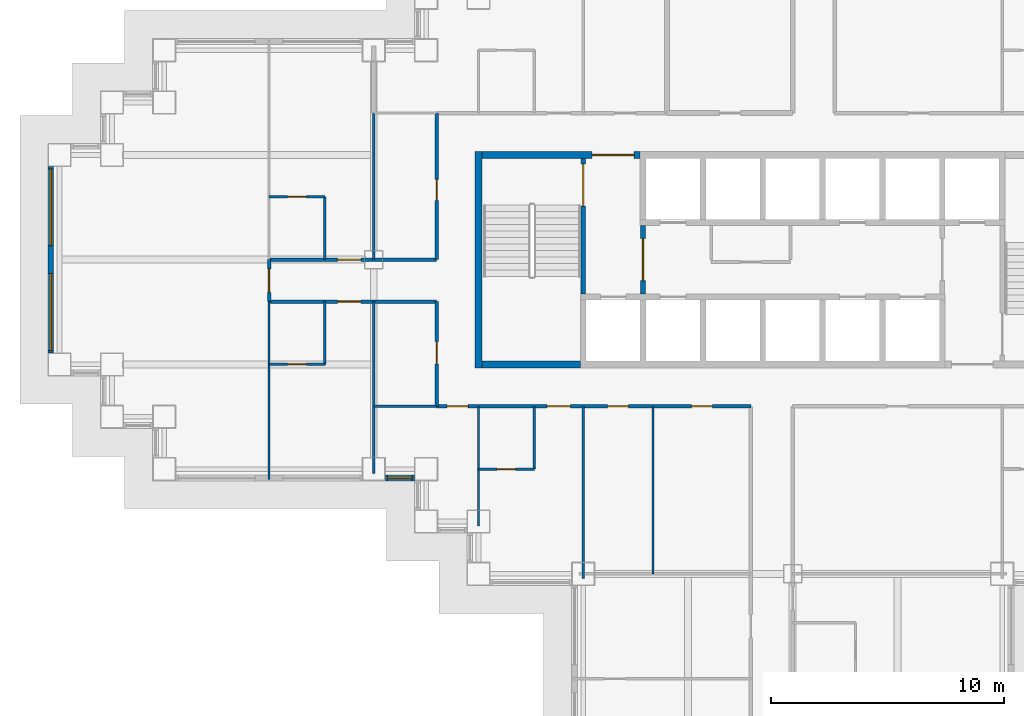
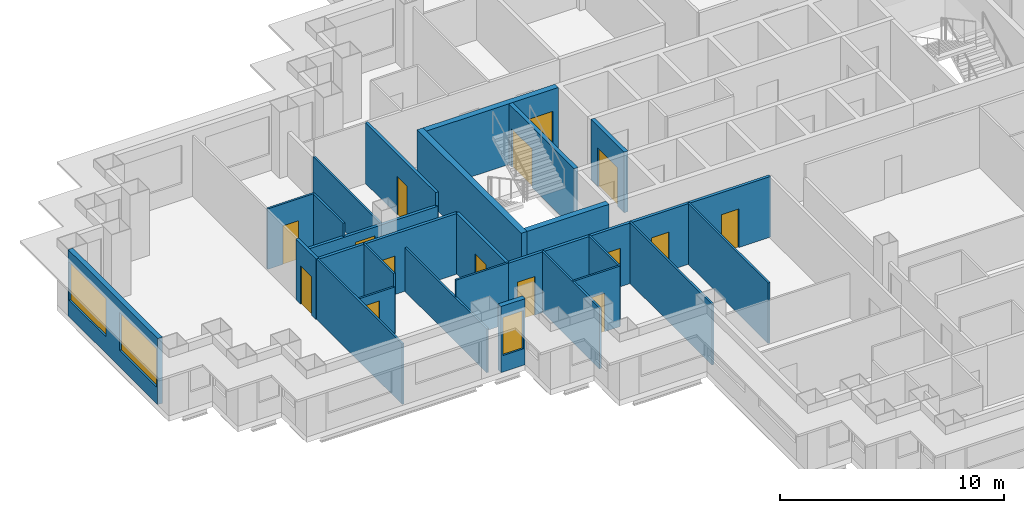
# One storey, part 4 of 14: 26 walls, 15 doors, 3 windows, 18 openings.
"""IFC4 building model written with IfcOpenShell, lengths in metres."""

from ifc_helpers import new_model, si_unit, direction, frame, frame_2d, origin, place, context, subcontext, project, spatial, rectangle, extrude, material, layer, layer_set, type_object, element, fill, save


model = new_model("IFC4")

# Units and contexts
model_context = context("Model", 3, precision=1e-05, world=origin(), true_north=direction((0.0, 1.0)))
body_context = subcontext(model_context, "Body", "Model", "MODEL_VIEW")
ifc_project = project(units=[si_unit("LENGTHUNIT", "METRE"), si_unit("AREAUNIT", "SQUARE_METRE"), si_unit("VOLUMEUNIT", "CUBIC_METRE"), si_unit("PLANEANGLEUNIT", "RADIAN"), si_unit("MASSUNIT", "GRAM", prefix="KILO")], contexts=[model_context])

# Site, building, storey
site_placement = place(None, origin())
site = spatial("IfcSite", under=ifc_project, at=site_placement, CompositionType="ELEMENT")
building_placement = place(site_placement, origin())
building = spatial("IfcBuilding", under=site, at=building_placement, Name="Caravel Reach Hotel and Residences", CompositionType="ELEMENT")
storey_placement = place(building_placement, frame((0.0, 0.0, 67.199951171875)))
storey = spatial("IfcBuildingStorey", under=building, at=storey_placement, Name="L15", CompositionType="ELEMENT", Elevation=67.199951171875)

# Wall, opening, door
ifc_material_1 = material(Name="Gypsum board on steel stud", Category="steel")
ifc_layer_1 = layer(ifc_material_1, 0.10009765625)
ifc_layer_set_1 = layer_set([ifc_layer_1], Name="Bathroom pod wall 100 mm")
wall_type_1 = type_object("IfcWallType", Name="Bathroom pod wall 100 mm", PredefinedType="PARTITIONING", material=ifc_layer_set_1)
wall_1_placement = place(storey_placement, frame((18.0, 18.0, 0.0), z_axis=(0.0, 0.0, 1.0), x_axis=(1.0, 0.0, 0.0)))
wall_1 = element("IfcWall", 1, at=wall_1_placement, inside=storey, type_object=wall_type_1, Name="L15 wall w075", PredefinedType="PARTITIONING", context=body_context, shape_type="SweptSolid", body=[
    extrude(rectangle(XDim=2.39990234375, YDim=0.10009765625, at=frame_2d((1.199951171875, 0.0))), origin(), (0.0, 0.0, 1.0), 3.300048828125),
])
opening_1_placement = place(wall_1_placement, frame((0.800048828125, 0.0, 0.0)))
opening_1 = element("IfcOpeningElement", 2, at=opening_1_placement, cuts=wall_1, Name="Opening D15-047", PredefinedType="OPENING", context=body_context, shape_type="SweptSolid", body=[
    extrude(rectangle(XDim=0.800048828125, YDim=2.10009765625, at=frame_2d((0.39990234375, 1.050048828125))), frame((0.0, 0.06005859375, 0.0), z_axis=(0.0, -1.0, 0.0), x_axis=(1.0, 0.0, 0.0)), (0.0, 0.0, 1.0), 0.1201171875),
])
ifc_material_2 = material(Name="Timber and steel door leaf", Category="steel")
door_type_1 = type_object("IfcDoorType", Name="Bathroom door 800 x 2100", OperationType="SINGLE_SWING_LEFT", PredefinedType="DOOR", material=ifc_material_2)
door_1_placement = place(opening_1_placement, origin())
door_1 = element("IfcDoor", 3, at=door_1_placement, inside=storey, type_object=door_type_1, Name="door D15-047", OperationType="SINGLE_SWING_LEFT", OverallHeight=2.10009765625, OverallWidth=0.800048828125, PredefinedType="DOOR", context=body_context, shape_type="SweptSolid", body=[
    extrude(rectangle(XDim=0.800048828125, YDim=2.10009765625, at=frame_2d((0.39990234375, 1.050048828125))), frame((0.0, 0.02490234375, 0.0), z_axis=(0.0, -1.0, 0.0), x_axis=(1.0, 0.0, 0.0)), (0.0, 0.0, 1.0), 0.050048828125),
])
fill(opening_1, door_1)

wall_2_placement = place(storey_placement, frame((9.0, 22.5, 0.0), z_axis=(0.0, 0.0, 1.0), x_axis=(1.0, 0.0, 0.0)))
wall_2 = element("IfcWall", 4, at=wall_2_placement, inside=storey, type_object=wall_type_1, Name="L15 wall w077", PredefinedType="PARTITIONING", context=body_context, shape_type="SweptSolid", body=[
    extrude(rectangle(XDim=2.39990234375, YDim=0.10009765625, at=frame_2d((1.199951171875, 0.0))), origin(), (0.0, 0.0, 1.0), 2.580078125),
])
opening_2_placement = place(wall_2_placement, frame((0.800048828125, 0.0, 0.0)))
opening_2 = element("IfcOpeningElement", 5, at=opening_2_placement, cuts=wall_2, Name="Opening D15-016", PredefinedType="OPENING", context=body_context, shape_type="SweptSolid", body=[
    extrude(rectangle(XDim=0.800048828125, YDim=2.10009765625, at=frame_2d((0.39990234375, 1.050048828125))), frame((0.0, 0.06005859375, 0.0), z_axis=(0.0, -1.0, 0.0), x_axis=(1.0, 0.0, 0.0)), (0.0, 0.0, 1.0), 0.1201171875),
])
door_2_placement = place(opening_2_placement, origin())
door_2 = element("IfcDoor", 6, at=door_2_placement, inside=storey, type_object=door_type_1, Name="door D15-016", OperationType="SINGLE_SWING_LEFT", OverallHeight=2.10009765625, OverallWidth=0.800048828125, PredefinedType="DOOR", context=body_context, shape_type="SweptSolid", body=[
    extrude(rectangle(XDim=0.800048828125, YDim=2.10009765625, at=frame_2d((0.39990234375, 1.050048828125))), frame((0.0, 0.02490234375, 0.0), z_axis=(0.0, -1.0, 0.0), x_axis=(1.0, 0.0, 0.0)), (0.0, 0.0, 1.0), 0.050048828125),
])
fill(opening_2, door_2)

wall_3_placement = place(storey_placement, frame((9.0, 29.699951171875, 0.0), z_axis=(0.0, 0.0, 1.0), x_axis=(1.0, 0.0, 0.0)))
wall_3 = element("IfcWall", 7, at=wall_3_placement, inside=storey, type_object=wall_type_1, Name="L15 wall w079", PredefinedType="PARTITIONING", context=body_context, shape_type="SweptSolid", body=[
    extrude(rectangle(XDim=2.39990234375, YDim=0.10009765625, at=frame_2d((1.199951171875, 0.0))), origin(), (0.0, 0.0, 1.0), 3.300048828125),
])
opening_3_placement = place(wall_3_placement, frame((0.800048828125, 0.0, 0.0)))
opening_3 = element("IfcOpeningElement", 8, at=opening_3_placement, cuts=wall_3, Name="Opening D15-018", PredefinedType="OPENING", context=body_context, shape_type="SweptSolid", body=[
    extrude(rectangle(XDim=0.800048828125, YDim=2.10009765625, at=frame_2d((0.39990234375, 1.050048828125))), frame((0.0, 0.06005859375, 0.0), z_axis=(0.0, -1.0, 0.0), x_axis=(1.0, 0.0, 0.0)), (0.0, 0.0, 1.0), 0.1201171875),
])
door_3_placement = place(opening_3_placement, origin())
door_3 = element("IfcDoor", 9, at=door_3_placement, inside=storey, type_object=door_type_1, Name="door D15-018", OperationType="SINGLE_SWING_LEFT", OverallHeight=2.10009765625, OverallWidth=0.800048828125, PredefinedType="DOOR", context=body_context, shape_type="SweptSolid", body=[
    extrude(rectangle(XDim=0.800048828125, YDim=2.10009765625, at=frame_2d((0.39990234375, 1.050048828125))), frame((0.0, 0.02490234375, 0.0), z_axis=(0.0, -1.0, 0.0), x_axis=(1.0, 0.0, 0.0)), (0.0, 0.0, 1.0), 0.050048828125),
])
fill(opening_3, door_3)

# Walls
for number, where, z_axis, x_axis, name in (
    (10, (11.39990234375, 27.0, 0.0), (0.0, 0.0, 1.0), (0.0, 1.0, 0.0), "L15 wall w088"),
    (11, (11.39990234375, 22.5, 0.0), (0.0, 0.0, 1.0), (0.0, 1.0, 0.0), "L15 wall w089"),
    (12, (20.39990234375, 18.0, 0.0), (0.0, 0.0, 1.0), (0.0, 1.0, 0.0), "L15 wall w092"),
):
    element("IfcWall", number, at=place(storey_placement, frame(where, z_axis=z_axis, x_axis=x_axis)), inside=storey, type_object=wall_type_1, Name=name, PredefinedType="PARTITIONING", context=body_context, shape_type="SweptSolid", body=[
        extrude(rectangle(XDim=2.699951171875, YDim=0.10009765625, at=frame_2d((1.35009765625, 0.0))), origin(), (0.0, 0.0, 1.0), 3.300048828125),
    ])
ifc_material_3 = material(Name="Concrete C60", Category="concrete")
ifc_layer_2 = layer(ifc_material_3, 0.300048828125)
ifc_layer_set_2 = layer_set([ifc_layer_2], Name="Core wall 300 mm EI 120")
wall_type_2 = type_object("IfcWallType", Name="Core wall 300 mm EI 120", PredefinedType="SHEAR", material=ifc_layer_set_2)
wall_4_placement = place(storey_placement, frame((18.14990234375, 22.5, 0.0), z_axis=(0.0, 0.0, 1.0), x_axis=(1.0, 0.0, 0.0)))
element("IfcWall", 13, at=wall_4_placement, inside=storey, type_object=wall_type_2, Name="L15 core wall S1", PredefinedType="SHEAR", context=body_context, shape_type="SweptSolid", body=[
    extrude(rectangle(XDim=4.22509765625, YDim=0.300048828125, at=frame_2d((2.112548828125, 0.0))), origin(), (0.0, 0.0, 1.0), 3.300048828125),
])

# Wall, opening, door
wall_5_placement = place(storey_placement, frame((18.14990234375, 31.5, 0.0), z_axis=(0.0, 0.0, 1.0), x_axis=(1.0, 0.0, 0.0)))
wall_5 = element("IfcWall", 14, at=wall_5_placement, inside=storey, type_object=wall_type_2, Name="L15 core wall N1", PredefinedType="SHEAR", context=body_context, shape_type="SweptSolid", body=[
    extrude(rectangle(XDim=6.796630859375, YDim=0.300048828125, at=frame_2d((3.3984375, 0.0))), origin(), (0.0, 0.0, 1.0), 3.300048828125),
])
opening_4_placement = place(wall_5_placement, frame((4.735595703125, 0.0, 0.0)))
opening_4 = element("IfcOpeningElement", 15, at=opening_4_placement, cuts=wall_5, Name="Opening D15-013", PredefinedType="OPENING", context=body_context, shape_type="SweptSolid", body=[
    extrude(rectangle(XDim=1.800048828125, YDim=2.10009765625, at=frame_2d((0.89990234375, 1.050048828125))), frame((0.0, 0.159912109375, 0.0), z_axis=(0.0, -1.0, 0.0), x_axis=(1.0, 0.0, 0.0)), (0.0, 0.0, 1.0), 0.320068359375),
])
ifc_material_4 = material(Name="Steel fire door leaf", Category="steel")
door_type_2 = type_object("IfcDoorType", Name="Fire lobby door pair 1800 x 2100 EI 90", OperationType="DOUBLE_DOOR_SINGLE_SWING", PredefinedType="DOOR", material=ifc_material_4)
door_4_placement = place(opening_4_placement, origin())
door_4 = element("IfcDoor", 16, at=door_4_placement, inside=storey, type_object=door_type_2, Name="lobby N door pair to corridor", OperationType="DOUBLE_DOOR_SINGLE_SWING", OverallHeight=2.10009765625, OverallWidth=1.800048828125, PredefinedType="DOOR", context=body_context, shape_type="SweptSolid", body=[
    extrude(rectangle(XDim=1.800048828125, YDim=2.10009765625, at=frame_2d((0.89990234375, 1.050048828125))), frame((0.0, 0.02490234375, 0.0), z_axis=(0.0, -1.0, 0.0), x_axis=(1.0, 0.0, 0.0)), (0.0, 0.0, 1.0), 0.050048828125),
])
fill(opening_4, door_4)

# Wall
wall_6_placement = place(storey_placement, frame((18.0, 22.35009765625, 0.0), z_axis=(0.0, 0.0, 1.0), x_axis=(0.0, 1.0, 0.0)))
element("IfcWall", 17, at=wall_6_placement, inside=storey, type_object=wall_type_2, Name="L15 core wall W", PredefinedType="SHEAR", context=body_context, shape_type="SweptSolid", body=[
    extrude(rectangle(XDim=9.2998046875, YDim=0.300048828125, at=frame_2d((4.64990234375, 0.0))), origin(), (0.0, 0.0, 1.0), 3.300048828125),
])

# Wall, openings, doors
ifc_material_5 = material(Name="Gypsum board on steel stud, fire-rated", Category="steel")
ifc_layer_3 = layer(ifc_material_5, 0.14990234375)
ifc_layer_set_3 = layer_set([ifc_layer_3], Name="Corridor wall 150 mm EI 60")
wall_type_3 = type_object("IfcWallType", Name="Corridor wall 150 mm EI 60", PredefinedType="PARTITIONING", material=ifc_layer_set_3)
wall_7_placement = place(storey_placement, frame((16.199951171875, 20.699951171875, 0.0), z_axis=(0.0, 0.0, 1.0), x_axis=(1.0, 0.0, 0.0)))
wall_7 = element("IfcWall", 18, at=wall_7_placement, inside=storey, type_object=wall_type_3, Name="L15 wall w006", PredefinedType="PARTITIONING", context=body_context, shape_type="SweptSolid", body=[
    extrude(rectangle(XDim=13.5, YDim=0.14990234375, at=frame_2d((6.75, 0.0))), origin(), (0.0, 0.0, 1.0), 3.300048828125),
])
opening_5_placement = place(wall_7_placement, frame((4.75, 0.0, 0.0)))
opening_5 = element("IfcOpeningElement", 19, at=opening_5_placement, cuts=wall_7, Name="Opening D15-046", PredefinedType="OPENING", context=body_context, shape_type="SweptSolid", body=[
    extrude(rectangle(XDim=1.0, YDim=2.10009765625, at=frame_2d((0.5, 1.050048828125))), frame((0.0, 0.0849609375, 0.0), z_axis=(0.0, -1.0, 0.0), x_axis=(1.0, 0.0, 0.0)), (0.0, 0.0, 1.0), 0.169921875),
])
opening_6_placement = place(wall_7_placement, frame((0.449951171875, 0.0, 0.0)))
opening_6 = element("IfcOpeningElement", 20, at=opening_6_placement, cuts=wall_7, Name="Opening D15-048", PredefinedType="OPENING", context=body_context, shape_type="SweptSolid", body=[
    extrude(rectangle(XDim=0.89990234375, YDim=2.10009765625, at=frame_2d((0.449951171875, 1.050048828125))), frame((0.0, 0.0849609375, 0.0), z_axis=(0.0, -1.0, 0.0), x_axis=(1.0, 0.0, 0.0)), (0.0, 0.0, 1.0), 0.169921875),
])
opening_7_placement = place(wall_7_placement, frame((7.35009765625, 0.0, 0.0)))
opening_7 = element("IfcOpeningElement", 21, at=opening_7_placement, cuts=wall_7, Name="Opening D15-054", PredefinedType="OPENING", context=body_context, shape_type="SweptSolid", body=[
    extrude(rectangle(XDim=0.89990234375, YDim=2.10009765625, at=frame_2d((0.449951171875, 1.050048828125))), frame((0.0, 0.0849609375, 0.0), z_axis=(0.0, -1.0, 0.0), x_axis=(1.0, 0.0, 0.0)), (0.0, 0.0, 1.0), 0.169921875),
])
opening_8_placement = place(wall_7_placement, frame((10.949951171875, 0.0, 0.0)))
opening_8 = element("IfcOpeningElement", 22, at=opening_8_placement, cuts=wall_7, Name="Opening D15-055", PredefinedType="OPENING", context=body_context, shape_type="SweptSolid", body=[
    extrude(rectangle(XDim=0.89990234375, YDim=2.10009765625, at=frame_2d((0.449951171875, 1.050048828125))), frame((0.0, 0.0849609375, 0.0), z_axis=(0.0, -1.0, 0.0), x_axis=(1.0, 0.0, 0.0)), (0.0, 0.0, 1.0), 0.169921875),
])
ifc_material_6 = material(Name="Timber and steel door leaf", Category="steel")
door_type_3 = type_object("IfcDoorType", Name="Door 900 x 2100 timber", OperationType="SINGLE_SWING_LEFT", PredefinedType="DOOR", material=ifc_material_6)
door_5_placement = place(opening_6_placement, origin())
door_5 = element("IfcDoor", 23, at=door_5_placement, inside=storey, type_object=door_type_3, Name="door D15-048", OperationType="SINGLE_SWING_LEFT", OverallHeight=2.10009765625, OverallWidth=0.89990234375, PredefinedType="DOOR", context=body_context, shape_type="SweptSolid", body=[
    extrude(rectangle(XDim=0.89990234375, YDim=2.10009765625, at=frame_2d((0.449951171875, 1.050048828125))), frame((0.0, 0.02490234375, 0.0), z_axis=(0.0, -1.0, 0.0), x_axis=(1.0, 0.0, 0.0)), (0.0, 0.0, 1.0), 0.050048828125),
])
fill(opening_6, door_5)
door_6_placement = place(opening_7_placement, origin())
door_6 = element("IfcDoor", 24, at=door_6_placement, inside=storey, type_object=door_type_3, Name="door D15-054", OperationType="SINGLE_SWING_RIGHT", OverallHeight=2.10009765625, OverallWidth=0.89990234375, PredefinedType="DOOR", context=body_context, shape_type="SweptSolid", body=[
    extrude(rectangle(XDim=0.89990234375, YDim=2.10009765625, at=frame_2d((0.449951171875, 1.050048828125))), frame((0.0, 0.02490234375, 0.0), z_axis=(0.0, -1.0, 0.0), x_axis=(1.0, 0.0, 0.0)), (0.0, 0.0, 1.0), 0.050048828125),
])
fill(opening_7, door_6)
door_7_placement = place(opening_8_placement, origin())
door_7 = element("IfcDoor", 25, at=door_7_placement, inside=storey, type_object=door_type_3, Name="door D15-055", OperationType="SINGLE_SWING_LEFT", OverallHeight=2.10009765625, OverallWidth=0.89990234375, PredefinedType="DOOR", context=body_context, shape_type="SweptSolid", body=[
    extrude(rectangle(XDim=0.89990234375, YDim=2.10009765625, at=frame_2d((0.449951171875, 1.050048828125))), frame((0.0, 0.02490234375, 0.0), z_axis=(0.0, -1.0, 0.0), x_axis=(1.0, 0.0, 0.0)), (0.0, 0.0, 1.0), 0.050048828125),
])
fill(opening_8, door_7)
ifc_material_7 = material(Name="Steel fire door leaf", Category="steel")
door_type_4 = type_object("IfcDoorType", Name="Guest room door 1000 x 2100 EI 30", OperationType="SINGLE_SWING_LEFT", PredefinedType="DOOR", material=ifc_material_7)
door_8_placement = place(opening_5_placement, origin())
door_8 = element("IfcDoor", 26, at=door_8_placement, inside=storey, type_object=door_type_4, Name="door D15-046", OperationType="SINGLE_SWING_RIGHT", OverallHeight=2.10009765625, OverallWidth=1.0, PredefinedType="DOOR", context=body_context, shape_type="SweptSolid", body=[
    extrude(rectangle(XDim=1.0, YDim=2.10009765625, at=frame_2d((0.5, 1.050048828125))), frame((0.0, 0.02490234375, 0.0), z_axis=(0.0, -1.0, 0.0), x_axis=(1.0, 0.0, 0.0)), (0.0, 0.0, 1.0), 0.050048828125),
])
fill(opening_5, door_8)

# Wall, opening, door
wall_8_placement = place(storey_placement, frame((9.0, 25.199951171875, 0.0), z_axis=(0.0, 0.0, 1.0), x_axis=(1.0, 0.0, 0.0)))
wall_8 = element("IfcWall", 27, at=wall_8_placement, inside=storey, type_object=wall_type_3, Name="L15 wall w007", PredefinedType="PARTITIONING", context=body_context, shape_type="SweptSolid", body=[
    extrude(rectangle(XDim=7.199951171875, YDim=0.14990234375, at=frame_2d((3.60009765625, 0.0))), origin(), (0.0, 0.0, 1.0), 3.300048828125),
])
opening_9_placement = place(wall_8_placement, frame((2.949951171875, 0.0, 0.0)))
opening_9 = element("IfcOpeningElement", 28, at=opening_9_placement, cuts=wall_8, Name="Opening D15-015", PredefinedType="OPENING", context=body_context, shape_type="SweptSolid", body=[
    extrude(rectangle(XDim=1.0, YDim=2.10009765625, at=frame_2d((0.5, 1.050048828125))), frame((0.0, 0.0849609375, 0.0), z_axis=(0.0, -1.0, 0.0), x_axis=(1.0, 0.0, 0.0)), (0.0, 0.0, 1.0), 0.169921875),
])
door_9_placement = place(opening_9_placement, origin())
door_9 = element("IfcDoor", 29, at=door_9_placement, inside=storey, type_object=door_type_4, Name="door D15-015", OperationType="SINGLE_SWING_RIGHT", OverallHeight=2.10009765625, OverallWidth=1.0, PredefinedType="DOOR", context=body_context, shape_type="SweptSolid", body=[
    extrude(rectangle(XDim=1.0, YDim=2.10009765625, at=frame_2d((0.5, 1.050048828125))), frame((0.0, 0.02490234375, 0.0), z_axis=(0.0, -1.0, 0.0), x_axis=(1.0, 0.0, 0.0)), (0.0, 0.0, 1.0), 0.050048828125),
])
fill(opening_9, door_9)

wall_9_placement = place(storey_placement, frame((9.0, 27.0, 0.0), z_axis=(0.0, 0.0, 1.0), x_axis=(1.0, 0.0, 0.0)))
wall_9 = element("IfcWall", 30, at=wall_9_placement, inside=storey, type_object=wall_type_3, Name="L15 wall w010", PredefinedType="PARTITIONING", context=body_context, shape_type="SweptSolid", body=[
    extrude(rectangle(XDim=7.199951171875, YDim=0.14990234375, at=frame_2d((3.60009765625, 0.0))), origin(), (0.0, 0.0, 1.0), 2.580078125),
])
opening_10_placement = place(wall_9_placement, frame((2.949951171875, 0.0, 0.0)))
opening_10 = element("IfcOpeningElement", 31, at=opening_10_placement, cuts=wall_9, Name="Opening D15-017", PredefinedType="OPENING", context=body_context, shape_type="SweptSolid", body=[
    extrude(rectangle(XDim=1.0, YDim=2.10009765625, at=frame_2d((0.5, 1.050048828125))), frame((0.0, 0.0849609375, 0.0), z_axis=(0.0, -1.0, 0.0), x_axis=(1.0, 0.0, 0.0)), (0.0, 0.0, 1.0), 0.169921875),
])
door_10_placement = place(opening_10_placement, origin())
door_10 = element("IfcDoor", 32, at=door_10_placement, inside=storey, type_object=door_type_4, Name="door D15-017", OperationType="SINGLE_SWING_RIGHT", OverallHeight=2.10009765625, OverallWidth=1.0, PredefinedType="DOOR", context=body_context, shape_type="SweptSolid", body=[
    extrude(rectangle(XDim=1.0, YDim=2.10009765625, at=frame_2d((0.5, 1.050048828125))), frame((0.0, 0.02490234375, 0.0), z_axis=(0.0, -1.0, 0.0), x_axis=(1.0, 0.0, 0.0)), (0.0, 0.0, 1.0), 0.050048828125),
])
fill(opening_10, door_10)

wall_10_placement = place(storey_placement, frame((16.199951171875, 27.0, 0.0), z_axis=(0.0, 0.0, 1.0), x_axis=(0.0, 1.0, 0.0)))
wall_10 = element("IfcWall", 33, at=wall_10_placement, inside=storey, type_object=wall_type_3, Name="L15 wall w021", PredefinedType="PARTITIONING", context=body_context, shape_type="SweptSolid", body=[
    extrude(rectangle(XDim=6.300048828125, YDim=0.14990234375, at=frame_2d((3.14990234375, 0.0))), origin(), (0.0, 0.0, 1.0), 3.300048828125),
])
opening_11_placement = place(wall_10_placement, frame((2.550048828125, 0.0, 0.0)))
opening_11 = element("IfcOpeningElement", 34, at=opening_11_placement, cuts=wall_10, Name="Opening D15-058", PredefinedType="OPENING", context=body_context, shape_type="SweptSolid", body=[
    extrude(rectangle(XDim=0.89990234375, YDim=2.10009765625, at=frame_2d((0.449951171875, 1.050048828125))), frame((0.0, 0.0849609375, 0.0), z_axis=(0.0, -1.0, 0.0), x_axis=(1.0, 0.0, 0.0)), (0.0, 0.0, 1.0), 0.169921875),
])
door_11_placement = place(opening_11_placement, origin())
door_11 = element("IfcDoor", 35, at=door_11_placement, inside=storey, type_object=door_type_3, Name="door D15-058", OperationType="SINGLE_SWING_LEFT", OverallHeight=2.10009765625, OverallWidth=0.89990234375, PredefinedType="DOOR", context=body_context, shape_type="SweptSolid", body=[
    extrude(rectangle(XDim=0.89990234375, YDim=2.10009765625, at=frame_2d((0.449951171875, 1.050048828125))), frame((0.0, 0.02490234375, 0.0), z_axis=(0.0, -1.0, 0.0), x_axis=(1.0, 0.0, 0.0)), (0.0, 0.0, 1.0), 0.050048828125),
])
fill(opening_11, door_11)

wall_11_placement = place(storey_placement, frame((16.199951171875, 20.699951171875, 0.0), z_axis=(0.0, 0.0, 1.0), x_axis=(0.0, 1.0, 0.0)))
wall_11 = element("IfcWall", 36, at=wall_11_placement, inside=storey, type_object=wall_type_3, Name="L15 wall w022", PredefinedType="PARTITIONING", context=body_context, shape_type="SweptSolid", body=[
    extrude(rectangle(XDim=4.5, YDim=0.14990234375, at=frame_2d((2.25, 0.0))), origin(), (0.0, 0.0, 1.0), 3.300048828125),
])
opening_12_placement = place(wall_11_placement, frame((1.824951171875, 0.0, 0.0)))
opening_12 = element("IfcOpeningElement", 37, at=opening_12_placement, cuts=wall_11, Name="Opening D15-057", PredefinedType="OPENING", context=body_context, shape_type="SweptSolid", body=[
    extrude(rectangle(XDim=0.949951171875, YDim=2.10009765625, at=frame_2d((0.47509765625, 1.050048828125))), frame((0.0, 0.0849609375, 0.0), z_axis=(0.0, -1.0, 0.0), x_axis=(1.0, 0.0, 0.0)), (0.0, 0.0, 1.0), 0.169921875),
])
ifc_material_8 = material(Name="Timber and steel door leaf", Category="steel")
door_type_5 = type_object("IfcDoorType", Name="Accessible WC door 950 x 2100", OperationType="SINGLE_SWING_LEFT", PredefinedType="DOOR", material=ifc_material_8)
door_12_placement = place(opening_12_placement, origin())
door_12 = element("IfcDoor", 38, at=door_12_placement, inside=storey, type_object=door_type_5, Name="door D15-057", OperationType="SINGLE_SWING_LEFT", OverallHeight=2.10009765625, OverallWidth=0.949951171875, PredefinedType="DOOR", context=body_context, shape_type="SweptSolid", body=[
    extrude(rectangle(XDim=0.949951171875, YDim=2.10009765625, at=frame_2d((0.47509765625, 1.050048828125))), frame((0.0, 0.02490234375, 0.0), z_axis=(0.0, -1.0, 0.0), x_axis=(1.0, 0.0, 0.0)), (0.0, 0.0, 1.0), 0.050048828125),
])
fill(opening_12, door_12)

wall_12_placement = place(storey_placement, frame((9.0, 25.199951171875, 0.0), z_axis=(0.0, 0.0, 1.0), x_axis=(0.0, 1.0, 0.0)))
wall_12 = element("IfcWall", 39, at=wall_12_placement, inside=storey, type_object=wall_type_3, Name="L15 wall w037", PredefinedType="PARTITIONING", context=body_context, shape_type="SweptSolid", body=[
    extrude(rectangle(XDim=1.800048828125, YDim=0.14990234375, at=frame_2d((0.89990234375, 0.0))), origin(), (0.0, 0.0, 1.0), 3.300048828125),
])
opening_13_placement = place(wall_12_placement, frame((0.39990234375, 0.0, 0.0)))
opening_13 = element("IfcOpeningElement", 40, at=opening_13_placement, cuts=wall_12, Name="Opening D15-037", PredefinedType="OPENING", context=body_context, shape_type="SweptSolid", body=[
    extrude(rectangle(XDim=1.0, YDim=2.10009765625, at=frame_2d((0.5, 1.050048828125))), frame((0.0, 0.0849609375, 0.0), z_axis=(0.0, -1.0, 0.0), x_axis=(1.0, 0.0, 0.0)), (0.0, 0.0, 1.0), 0.169921875),
])
door_13_placement = place(opening_13_placement, origin())
door_13 = element("IfcDoor", 41, at=door_13_placement, inside=storey, type_object=door_type_4, Name="door D15-037", OperationType="SINGLE_SWING_LEFT", OverallHeight=2.10009765625, OverallWidth=1.0, PredefinedType="DOOR", context=body_context, shape_type="SweptSolid", body=[
    extrude(rectangle(XDim=1.0, YDim=2.10009765625, at=frame_2d((0.5, 1.050048828125))), frame((0.0, 0.02490234375, 0.0), z_axis=(0.0, -1.0, 0.0), x_axis=(1.0, 0.0, 0.0)), (0.0, 0.0, 1.0), 0.050048828125),
])
fill(opening_13, door_13)

# Wall, openings, windows
ifc_material_9 = material(Name="Insulated rainscreen wall, aluminium cladding", Category="aluminium")
ifc_layer_4 = layer(ifc_material_9, 0.25)
ifc_layer_set_4 = layer_set([ifc_layer_4], Name="EW1 Tower rainscreen wall")
wall_type_4 = type_object("IfcWallType", Name="EW1 Tower rainscreen wall", PredefinedType="SOLIDWALL", material=ifc_layer_set_4)
wall_13_placement = place(storey_placement, frame((-0.375, 31.0, 0.0), z_axis=(0.0, 0.0, 1.0), x_axis=(0.0, -1.0, 0.0)))
wall_13 = element("IfcWall", 42, at=wall_13_placement, inside=storey, type_object=wall_type_4, Name="External wall L15 W50.1", PredefinedType="SOLIDWALL", context=body_context, shape_type="SweptSolid", body=[
    extrude(rectangle(XDim=8.0, YDim=0.25, at=frame_2d((4.0, 0.0))), origin(), (0.0, 0.0, 1.0), 3.60009765625),
])
opening_14_placement = place(wall_13_placement, frame((0.10009765625, 0.0, 0.89990234375)))
opening_14 = element("IfcOpeningElement", 43, at=opening_14_placement, cuts=wall_13, Name="Opening WN4", PredefinedType="OPENING", context=body_context, shape_type="SweptSolid", body=[
    extrude(rectangle(XDim=3.300048828125, YDim=2.080078125, at=frame_2d((1.64990234375, 1.0400390625))), frame((0.0, 0.135009765625, 0.0), z_axis=(0.0, -1.0, 0.0), x_axis=(1.0, 0.0, 0.0)), (0.0, 0.0, 1.0), 0.27001953125),
])
opening_15_placement = place(wall_13_placement, frame((4.60009765625, 0.0, 0.89990234375)))
opening_15 = element("IfcOpeningElement", 44, at=opening_15_placement, cuts=wall_13, Name="Opening WN4", PredefinedType="OPENING", context=body_context, shape_type="SweptSolid", body=[
    extrude(rectangle(XDim=3.300048828125, YDim=2.080078125, at=frame_2d((1.64990234375, 1.0400390625))), frame((0.0, 0.135009765625, 0.0), z_axis=(0.0, -1.0, 0.0), x_axis=(1.0, 0.0, 0.0)), (0.0, 0.0, 1.0), 0.27001953125),
])
ifc_material_10 = material(Name="Dark low-e glazing in black aluminium frame", Category="aluminium")
window_type_1 = type_object("IfcWindowType", Name="Hotel guest room window 3300 x 2080", PartitioningType="SINGLE_PANEL", PredefinedType="WINDOW", material=ifc_material_10)
window_1_placement = place(opening_14_placement, origin())
window_1 = element("IfcWindow", 45, at=window_1_placement, inside=storey, type_object=window_type_1, Name="Window L15 W50.1.1", OverallHeight=2.080078125, OverallWidth=3.300048828125, PartitioningType="SINGLE_PANEL", PredefinedType="WINDOW", context=body_context, shape_type="SweptSolid", body=[
    extrude(rectangle(XDim=3.300048828125, YDim=2.080078125, at=frame_2d((1.64990234375, 1.0400390625))), frame((0.0, 0.030029296875, 0.0), z_axis=(0.0, -1.0, 0.0), x_axis=(1.0, 0.0, 0.0)), (0.0, 0.0, 1.0), 0.06005859375),
])
fill(opening_14, window_1)
window_2_placement = place(opening_15_placement, origin())
window_2 = element("IfcWindow", 46, at=window_2_placement, inside=storey, type_object=window_type_1, Name="Window L15 W50.1.2", OverallHeight=2.080078125, OverallWidth=3.300048828125, PartitioningType="SINGLE_PANEL", PredefinedType="WINDOW", context=body_context, shape_type="SweptSolid", body=[
    extrude(rectangle(XDim=3.300048828125, YDim=2.080078125, at=frame_2d((1.64990234375, 1.0400390625))), frame((0.0, 0.030029296875, 0.0), z_axis=(0.0, -1.0, 0.0), x_axis=(1.0, 0.0, 0.0)), (0.0, 0.0, 1.0), 0.06005859375),
])
fill(opening_15, window_2)

# Wall, opening, window
wall_14_placement = place(storey_placement, frame((14.0, 17.625, 0.0), z_axis=(0.0, 0.0, 1.0), x_axis=(1.0, 0.0, 0.0)))
wall_14 = element("IfcWall", 47, at=wall_14_placement, inside=storey, type_object=wall_type_4, Name="External wall L15 S55.2", PredefinedType="SOLIDWALL", context=body_context, shape_type="SweptSolid", body=[
    extrude(rectangle(XDim=1.25, YDim=0.25, at=frame_2d((0.625, 0.0))), origin(), (0.0, 0.0, 1.0), 3.60009765625),
])
opening_16_placement = place(wall_14_placement, frame((0.10009765625, 0.0, 0.89990234375)))
opening_16 = element("IfcOpeningElement", 48, at=opening_16_placement, cuts=wall_14, Name="Opening WN3", PredefinedType="OPENING", context=body_context, shape_type="SweptSolid", body=[
    extrude(rectangle(XDim=1.050048828125, YDim=2.080078125, at=frame_2d((0.52490234375, 1.0400390625))), frame((0.0, 0.135009765625, 0.0), z_axis=(0.0, -1.0, 0.0), x_axis=(1.0, 0.0, 0.0)), (0.0, 0.0, 1.0), 0.27001953125),
])
ifc_material_11 = material(Name="Dark low-e glazing in black aluminium frame", Category="aluminium")
window_type_2 = type_object("IfcWindowType", Name="Hotel suite corner window 1050 x 2080", PartitioningType="SINGLE_PANEL", PredefinedType="WINDOW", material=ifc_material_11)
window_3_placement = place(opening_16_placement, origin())
window_3 = element("IfcWindow", 49, at=window_3_placement, inside=storey, type_object=window_type_2, Name="Window L15 S55.2.1", OverallHeight=2.080078125, OverallWidth=1.050048828125, PartitioningType="SINGLE_PANEL", PredefinedType="WINDOW", context=body_context, shape_type="SweptSolid", body=[
    extrude(rectangle(XDim=1.050048828125, YDim=2.080078125, at=frame_2d((0.52490234375, 1.0400390625))), frame((0.0, 0.030029296875, 0.0), z_axis=(0.0, -1.0, 0.0), x_axis=(1.0, 0.0, 0.0)), (0.0, 0.0, 1.0), 0.06005859375),
])
fill(opening_16, window_3)

# Wall, opening, door
ifc_material_12 = material(Name="Autoclaved aerated block wall")
ifc_layer_5 = layer(ifc_material_12, 0.199951171875)
ifc_layer_set_5 = layer_set([ifc_layer_5], Name="Fire lobby wall 200 mm EI 120")
wall_type_5 = type_object("IfcWallType", Name="Fire lobby wall 200 mm EI 120", PredefinedType="PARTITIONING", material=ifc_layer_set_5)
wall_15_placement = place(storey_placement, frame((25.071533203125, 25.52490234375, 0.0), z_axis=(0.0, 0.0, 1.0), x_axis=(0.0, 1.0, 0.0)))
wall_15 = element("IfcWall", 50, at=wall_15_placement, inside=storey, type_object=wall_type_5, Name="L15 lobby W wall", PredefinedType="PARTITIONING", context=body_context, shape_type="SweptSolid", body=[
    extrude(rectangle(XDim=2.9501953125, YDim=0.199951171875, at=frame_2d((1.47509765625, 0.0))), origin(), (0.0, 0.0, 1.0), 3.300048828125),
])
opening_17_placement = place(wall_15_placement, frame((0.574951171875, 0.0, 0.0)))
opening_17 = element("IfcOpeningElement", 51, at=opening_17_placement, cuts=wall_15, Name="Opening D15-011", PredefinedType="OPENING", context=body_context, shape_type="SweptSolid", body=[
    extrude(rectangle(XDim=1.800048828125, YDim=2.10009765625, at=frame_2d((0.89990234375, 1.050048828125))), frame((0.0, 0.10986328125, 0.0), z_axis=(0.0, -1.0, 0.0), x_axis=(1.0, 0.0, 0.0)), (0.0, 0.0, 1.0), 0.219970703125),
])
door_14_placement = place(opening_17_placement, origin())
door_14 = element("IfcDoor", 52, at=door_14_placement, inside=storey, type_object=door_type_2, Name="lobby W door pair", OperationType="DOUBLE_DOOR_SINGLE_SWING", OverallHeight=2.10009765625, OverallWidth=1.800048828125, PredefinedType="DOOR", context=body_context, shape_type="SweptSolid", body=[
    extrude(rectangle(XDim=1.800048828125, YDim=2.10009765625, at=frame_2d((0.89990234375, 1.050048828125))), frame((0.0, 0.02490234375, 0.0), z_axis=(0.0, -1.0, 0.0), x_axis=(1.0, 0.0, 0.0)), (0.0, 0.0, 1.0), 0.050048828125),
])
fill(opening_17, door_14)

# Walls
ifc_material_13 = material(Name="Gypsum board on steel stud", Category="steel")
ifc_layer_6 = layer(ifc_material_13, 0.10009765625)
ifc_layer_set_6 = layer_set([ifc_layer_6], Name="Partition 100 mm")
wall_type_6 = type_object("IfcWallType", Name="Partition 100 mm", PredefinedType="PARTITIONING", material=ifc_layer_set_6)
wall_16_placement = place(storey_placement, frame((13.5, 20.699951171875, 0.0), z_axis=(0.0, 0.0, 1.0), x_axis=(1.0, 0.0, 0.0)))
element("IfcWall", 53, at=wall_16_placement, inside=storey, type_object=wall_type_6, Name="L15 wall w042", PredefinedType="PARTITIONING", context=body_context, shape_type="SweptSolid", body=[
    extrude(rectangle(XDim=2.699951171875, YDim=0.10009765625, at=frame_2d((1.35009765625, 0.0))), origin(), (0.0, 0.0, 1.0), 3.300048828125),
])
wall_17_placement = place(storey_placement, frame((13.5, 27.0, 0.0), z_axis=(0.0, 0.0, 1.0), x_axis=(0.0, 1.0, 0.0)))
element("IfcWall", 54, at=wall_17_placement, inside=storey, type_object=wall_type_6, Name="L15 wall w051", PredefinedType="PARTITIONING", context=body_context, shape_type="SweptSolid", body=[
    extrude(rectangle(XDim=6.300048828125, YDim=0.10009765625, at=frame_2d((3.14990234375, 0.0))), origin(), (0.0, 0.0, 1.0), 2.380126953125),
])
wall_18_placement = place(storey_placement, frame((13.5, 17.81005859375, 0.0), z_axis=(0.0, 0.0, 1.0), x_axis=(0.0, 1.0, 0.0)))
element("IfcWall", 55, at=wall_18_placement, inside=storey, type_object=wall_type_6, Name="L15 wall w053", PredefinedType="PARTITIONING", context=body_context, shape_type="SweptSolid", body=[
    extrude(rectangle(XDim=7.389892578125, YDim=0.10009765625, at=frame_2d((3.69482421875, 0.0))), origin(), (0.0, 0.0, 1.0), 2.380126953125),
])
wall_19_placement = place(storey_placement, frame((18.0, 15.56005859375, 0.0), z_axis=(0.0, 0.0, 1.0), x_axis=(0.0, 1.0, 0.0)))
element("IfcWall", 56, at=wall_19_placement, inside=storey, type_object=wall_type_6, Name="L15 wall w054", PredefinedType="PARTITIONING", context=body_context, shape_type="SweptSolid", body=[
    extrude(rectangle(XDim=5.139892578125, YDim=0.10009765625, at=frame_2d((2.56982421875, 0.0))), origin(), (0.0, 0.0, 1.0), 3.300048828125),
])
wall_20_placement = place(storey_placement, frame((22.5, 13.31005859375, 0.0), z_axis=(0.0, 0.0, 1.0), x_axis=(0.0, 1.0, 0.0)))
element("IfcWall", 57, at=wall_20_placement, inside=storey, type_object=wall_type_6, Name="L15 wall w056", PredefinedType="PARTITIONING", context=body_context, shape_type="SweptSolid", body=[
    extrude(rectangle(XDim=7.389892578125, YDim=0.10009765625, at=frame_2d((3.69482421875, 0.0))), origin(), (0.0, 0.0, 1.0), 3.300048828125),
])
wall_21_placement = place(storey_placement, frame((25.5, 13.5, 0.0), z_axis=(0.0, 0.0, 1.0), x_axis=(0.0, 1.0, 0.0)))
element("IfcWall", 58, at=wall_21_placement, inside=storey, type_object=wall_type_6, Name="L15 wall w057", PredefinedType="PARTITIONING", context=body_context, shape_type="SweptSolid", body=[
    extrude(rectangle(XDim=7.199951171875, YDim=0.10009765625, at=frame_2d((3.60009765625, 0.0))), origin(), (0.0, 0.0, 1.0), 3.300048828125),
])
wall_22_placement = place(storey_placement, frame((9.0, 17.56005859375, 0.0), z_axis=(0.0, 0.0, 1.0), x_axis=(0.0, 1.0, 0.0)))
element("IfcWall", 59, at=wall_22_placement, inside=storey, type_object=wall_type_6, Name="L15 wall w065", PredefinedType="PARTITIONING", context=body_context, shape_type="SweptSolid", body=[
    extrude(rectangle(XDim=7.639892578125, YDim=0.10009765625, at=frame_2d((3.81982421875, 0.0))), origin(), (0.0, 0.0, 1.0), 3.300048828125),
])

# Wall, opening, door
ifc_material_14 = material(Name="Concrete C60", Category="concrete")
ifc_layer_7 = layer(ifc_material_14, 0.199951171875)
ifc_layer_set_7 = layer_set([ifc_layer_7], Name="Stair enclosure wall 200 mm EI 120")
wall_type_7 = type_object("IfcWallType", Name="Stair enclosure wall 200 mm EI 120", PredefinedType="SHEAR", material=ifc_layer_set_7)
wall_23_placement = place(storey_placement, frame((22.5, 31.35009765625, 0.0), z_axis=(0.0, 0.0, 1.0), x_axis=(0.0, -1.0, 0.0)))
wall_23 = element("IfcWall", 60, at=wall_23_placement, inside=storey, type_object=wall_type_7, Name="L15 stair A wall", PredefinedType="SHEAR", context=body_context, shape_type="SweptSolid", body=[
    extrude(rectangle(XDim=5.8251953125, YDim=0.199951171875, at=frame_2d((2.91259765625, 0.0))), origin(), (0.0, 0.0, 1.0), 3.300048828125),
])
opening_18_placement = place(wall_23_placement, frame((0.25, 0.0, 0.0)))
opening_18 = element("IfcOpeningElement", 61, at=opening_18_placement, cuts=wall_23, Name="Opening D15-009", PredefinedType="OPENING", context=body_context, shape_type="SweptSolid", body=[
    extrude(rectangle(XDim=1.800048828125, YDim=2.10009765625, at=frame_2d((0.89990234375, 1.050048828125))), frame((0.0, 0.10986328125, 0.0), z_axis=(0.0, -1.0, 0.0), x_axis=(1.0, 0.0, 0.0)), (0.0, 0.0, 1.0), 0.219970703125),
])
ifc_material_15 = material(Name="Steel fire door leaf", Category="steel")
door_type_6 = type_object("IfcDoorType", Name="Stair door pair 1800 x 2100 EI 90", OperationType="DOUBLE_DOOR_SINGLE_SWING", PredefinedType="DOOR", material=ifc_material_15)
door_15_placement = place(opening_18_placement, origin())
door_15 = element("IfcDoor", 62, at=door_15_placement, inside=storey, type_object=door_type_6, Name="stair A door pair", OperationType="DOUBLE_DOOR_SINGLE_SWING", OverallHeight=2.10009765625, OverallWidth=1.800048828125, PredefinedType="DOOR", context=body_context, shape_type="SweptSolid", body=[
    extrude(rectangle(XDim=1.800048828125, YDim=2.10009765625, at=frame_2d((0.89990234375, 1.050048828125))), frame((0.0, 0.02490234375, 0.0), z_axis=(0.0, -1.0, 0.0), x_axis=(1.0, 0.0, 0.0)), (0.0, 0.0, 1.0), 0.050048828125),
])
fill(opening_18, door_15)

save(model, "model.ifc")
